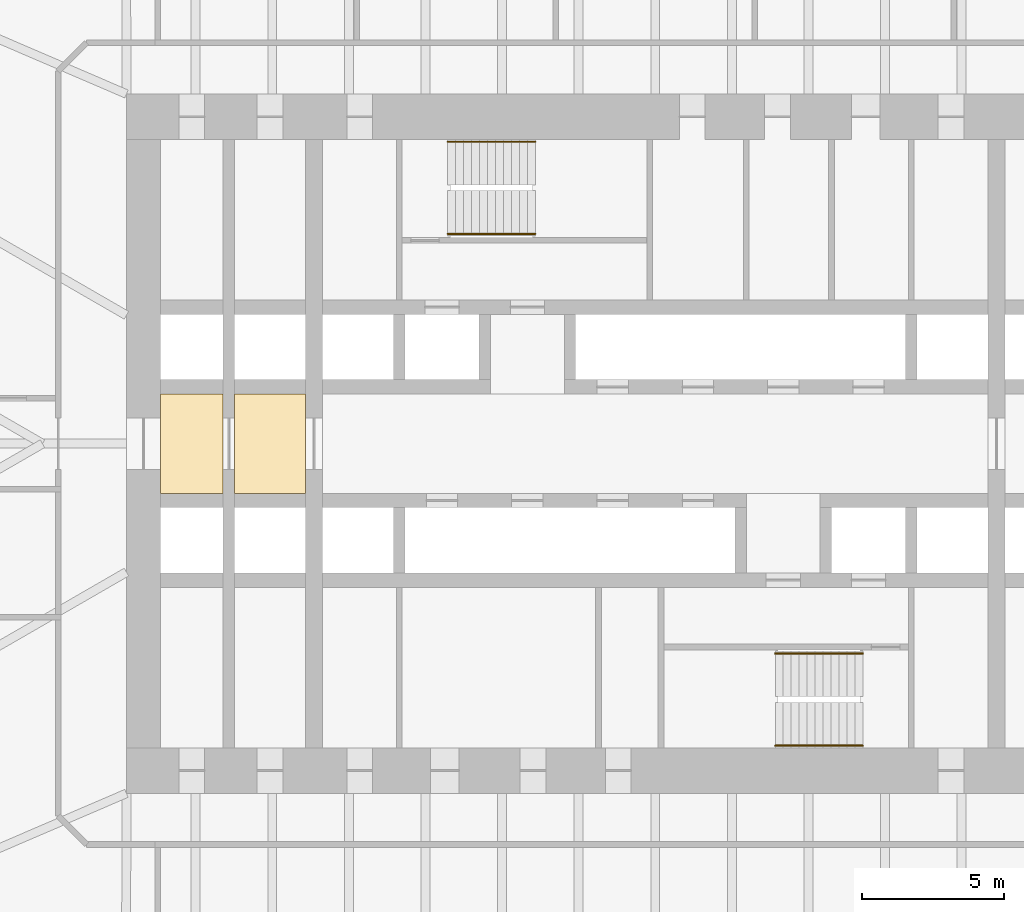
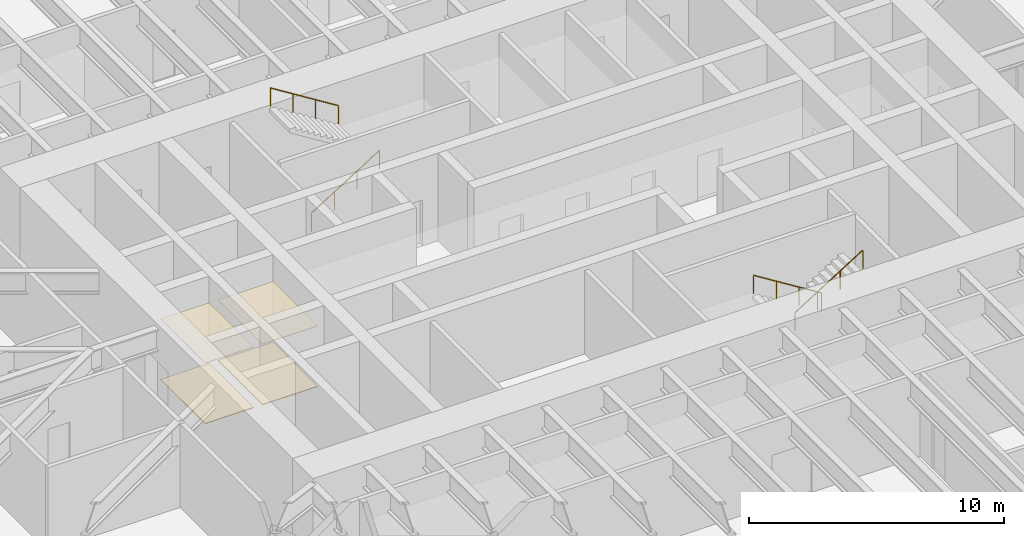
# One storey, part 21 of 23: 4 coverings, 4 railings.
"""IFC4 building model written with IfcOpenShell, lengths in metres."""

from ifc_helpers import new_model, si_unit, direction, frame, origin, origin_2d, place, context, subcontext, project, spatial, polyline, circle, outline, extrude, material, layer, layer_set, type_object, element, save


model = new_model("IFC4")

# Units and contexts
model_context = context("Model", 3, precision=1e-05, world=origin(), true_north=direction((0.0, 1.0)))
body_context = subcontext(model_context, "Body", "Model", "MODEL_VIEW")
ifc_project = project(units=[si_unit("LENGTHUNIT", "METRE"), si_unit("AREAUNIT", "SQUARE_METRE"), si_unit("VOLUMEUNIT", "CUBIC_METRE"), si_unit("PLANEANGLEUNIT", "RADIAN"), si_unit("MASSUNIT", "GRAM", prefix="KILO")], contexts=[model_context])

# Site, building, storey
site_placement = place(None, origin())
site = spatial("IfcSite", under=ifc_project, at=site_placement, CompositionType="ELEMENT")
building_placement = place(site_placement, origin())
building = spatial("IfcBuilding", under=site, at=building_placement, Name="Tarfa Lantern Tower", CompositionType="ELEMENT")
storey_placement = place(building_placement, frame((0.0, 0.0, 52.89990234375)))
storey = spatial("IfcBuildingStorey", under=building, at=storey_placement, Name="L11", CompositionType="ELEMENT", Elevation=52.89990234375)

# Coverings
ifc_material_1 = material(Name="Powder-coated aluminium panel", Category="aluminium")
ifc_layer_1 = layer(ifc_material_1, 0.030029296875)
ifc_layer_set_1 = layer_set([ifc_layer_1], Name="CL3 METAL PANEL CEILING 30")
covering_type_1 = type_object("IfcCoveringType", Name="CL3 METAL PANEL CEILING 30", PredefinedType="CEILING", material=ifc_layer_set_1)
covering_1_placement = place(storey_placement, frame((0.0, 0.0, 2.900146484375)))
element("IfcCovering", 1, at=covering_1_placement, inside=storey, type_object=covering_type_1, Name="Ceiling L11-01", PredefinedType="CEILING", context=body_context, shape_type="SweptSolid", body=[
    extrude(outline(polyline([(-17.39990234375, -1.75), (-15.199951171875, -1.75), (-15.199951171875, 1.75), (-17.39990234375, 1.75), (-17.39990234375, -1.75)])), origin(), (0.0, 0.0, 1.0), 0.030029296875),
])
covering_2_placement = place(storey_placement, frame((0.0, 0.0, 2.900146484375)))
element("IfcCovering", 2, at=covering_2_placement, inside=storey, type_object=covering_type_1, Name="Ceiling L11-02", PredefinedType="CEILING", context=body_context, shape_type="SweptSolid", body=[
    extrude(outline(polyline([(-14.800048828125, -1.75), (-12.300048828125, -1.75), (-12.300048828125, 1.75), (-14.800048828125, 1.75), (-14.800048828125, -1.75)])), origin(), (0.0, 0.0, 1.0), 0.030029296875),
])
ifc_material_2 = material(Name="Honed limestone flooring", Category="masonry")
ifc_layer_2 = layer(ifc_material_2, 0.030029296875)
ifc_layer_set_2 = layer_set([ifc_layer_2], Name="FL2 STONE FLOORING 30")
covering_type_2 = type_object("IfcCoveringType", Name="FL2 STONE FLOORING 30", PredefinedType="FLOORING", material=ifc_layer_set_2)
covering_3_placement = place(storey_placement, origin())
element("IfcCovering", 3, at=covering_3_placement, inside=storey, type_object=covering_type_2, Name="Floor finish L11-01", PredefinedType="FLOORING", context=body_context, shape_type="SweptSolid", body=[
    extrude(outline(polyline([(-17.39990234375, -1.75), (-15.199951171875, -1.75), (-15.199951171875, 1.75), (-17.39990234375, 1.75), (-17.39990234375, -1.75)])), origin(), (0.0, 0.0, 1.0), 0.030029296875),
])
covering_4_placement = place(storey_placement, origin())
element("IfcCovering", 4, at=covering_4_placement, inside=storey, type_object=covering_type_2, Name="Floor finish L11-02", PredefinedType="FLOORING", context=body_context, shape_type="SweptSolid", body=[
    extrude(outline(polyline([(-14.800048828125, -1.75), (-12.300048828125, -1.75), (-12.300048828125, 1.75), (-14.800048828125, 1.75), (-14.800048828125, -1.75)])), origin(), (0.0, 0.0, 1.0), 0.030029296875),
])

# Railings
ifc_material_3 = material(Name="Stainless steel", Category="steel")
railing_type = type_object("IfcRailingType", Name="HR1 HANDRAIL 900", PredefinedType="HANDRAIL", material=ifc_material_3)
railing_1_placement = place(storey_placement, frame((-7.300048828125, 7.3798828125, 0.175048828125)))
element("IfcRailing", 5, at=railing_1_placement, inside=storey, type_object=railing_type, Name="Handrail 1", PredefinedType="HANDRAIL", context=body_context, shape_type="SweptSolid", body=[
    extrude(circle(Radius=0.02392578125, at=origin_2d()), frame((0.0, 0.0, 0.8759765625), z_axis=(0.847998304005, 0.0, 0.529998940003), x_axis=(0.0, 1.0, 0.0)), (0.0, 0.0, 1.0), 3.632080078125),
    extrude(circle(Radius=0.02099609375, at=origin_2d()), frame((0.0, 0.0, 0.0), z_axis=(0.0, 0.0, 1.0), x_axis=(0.0, 1.0, 0.0)), (0.0, 0.0, 1.0), 0.851806640625),
    extrude(circle(Radius=0.02099609375, at=origin_2d()), frame((1.026611328125, 0.0, 0.6416015625), z_axis=(0.0, 0.0, 1.0), x_axis=(0.0, 1.0, 0.0)), (0.0, 0.0, 1.0), 0.851806640625),
    extrude(circle(Radius=0.02099609375, at=origin_2d()), frame((2.053466796875, 0.0, 1.283447265625), z_axis=(0.0, 0.0, 1.0), x_axis=(0.0, 1.0, 0.0)), (0.0, 0.0, 1.0), 0.851806640625),
    extrude(circle(Radius=0.02099609375, at=origin_2d()), frame((3.080078125, 0.0, 1.925048828125), z_axis=(0.0, 0.0, 1.0), x_axis=(0.0, 1.0, 0.0)), (0.0, 0.0, 1.0), 0.851806640625),
])
for number, where, name in (
    (6, (-4.219970703125, 10.6201171875, 2.275146484375), "Handrail 2"),
    (7, (7.300048828125, -7.3798828125, 0.175048828125), "Handrail 1"),
):
    element("IfcRailing", number, at=place(storey_placement, frame(where)), inside=storey, type_object=railing_type, Name=name, PredefinedType="HANDRAIL", context=body_context, shape_type="SweptSolid", body=[
        extrude(circle(Radius=0.02392578125, at=origin_2d()), frame((0.0, 0.0, 0.8759765625), z_axis=(-0.847998304005, 0.0, 0.529998940003), x_axis=(0.0, -1.0, 0.0)), (0.0, 0.0, 1.0), 3.632080078125),
        extrude(circle(Radius=0.02099609375, at=origin_2d()), frame((0.0, 0.0, 0.0), z_axis=(0.0, 0.0, 1.0), x_axis=(0.0, -1.0, 0.0)), (0.0, 0.0, 1.0), 0.851806640625),
        extrude(circle(Radius=0.02099609375, at=origin_2d()), frame((-1.026611328125, 0.0, 0.6416015625), z_axis=(0.0, 0.0, 1.0), x_axis=(0.0, -1.0, 0.0)), (0.0, 0.0, 1.0), 0.851806640625),
        extrude(circle(Radius=0.02099609375, at=origin_2d()), frame((-2.053466796875, 0.0, 1.283447265625), z_axis=(0.0, 0.0, 1.0), x_axis=(0.0, -1.0, 0.0)), (0.0, 0.0, 1.0), 0.851806640625),
        extrude(circle(Radius=0.02099609375, at=origin_2d()), frame((-3.080078125, 0.0, 1.925048828125), z_axis=(0.0, 0.0, 1.0), x_axis=(0.0, -1.0, 0.0)), (0.0, 0.0, 1.0), 0.851806640625),
    ])
railing_2_placement = place(storey_placement, frame((4.219970703125, -10.6201171875, 2.275146484375)))
element("IfcRailing", 8, at=railing_2_placement, inside=storey, type_object=railing_type, Name="Handrail 2", PredefinedType="HANDRAIL", context=body_context, shape_type="SweptSolid", body=[
    extrude(circle(Radius=0.02392578125, at=origin_2d()), frame((0.0, 0.0, 0.8759765625), z_axis=(0.847998304005, 0.0, 0.529998940003), x_axis=(0.0, 1.0, 0.0)), (0.0, 0.0, 1.0), 3.632080078125),
    extrude(circle(Radius=0.02099609375, at=origin_2d()), frame((0.0, 0.0, 0.0), z_axis=(0.0, 0.0, 1.0), x_axis=(0.0, 1.0, 0.0)), (0.0, 0.0, 1.0), 0.851806640625),
    extrude(circle(Radius=0.02099609375, at=origin_2d()), frame((1.026611328125, 0.0, 0.6416015625), z_axis=(0.0, 0.0, 1.0), x_axis=(0.0, 1.0, 0.0)), (0.0, 0.0, 1.0), 0.851806640625),
    extrude(circle(Radius=0.02099609375, at=origin_2d()), frame((2.053466796875, 0.0, 1.283447265625), z_axis=(0.0, 0.0, 1.0), x_axis=(0.0, 1.0, 0.0)), (0.0, 0.0, 1.0), 0.851806640625),
    extrude(circle(Radius=0.02099609375, at=origin_2d()), frame((3.080078125, 0.0, 1.925048828125), z_axis=(0.0, 0.0, 1.0), x_axis=(0.0, 1.0, 0.0)), (0.0, 0.0, 1.0), 0.851806640625),
])

save(model, "model.ifc")
